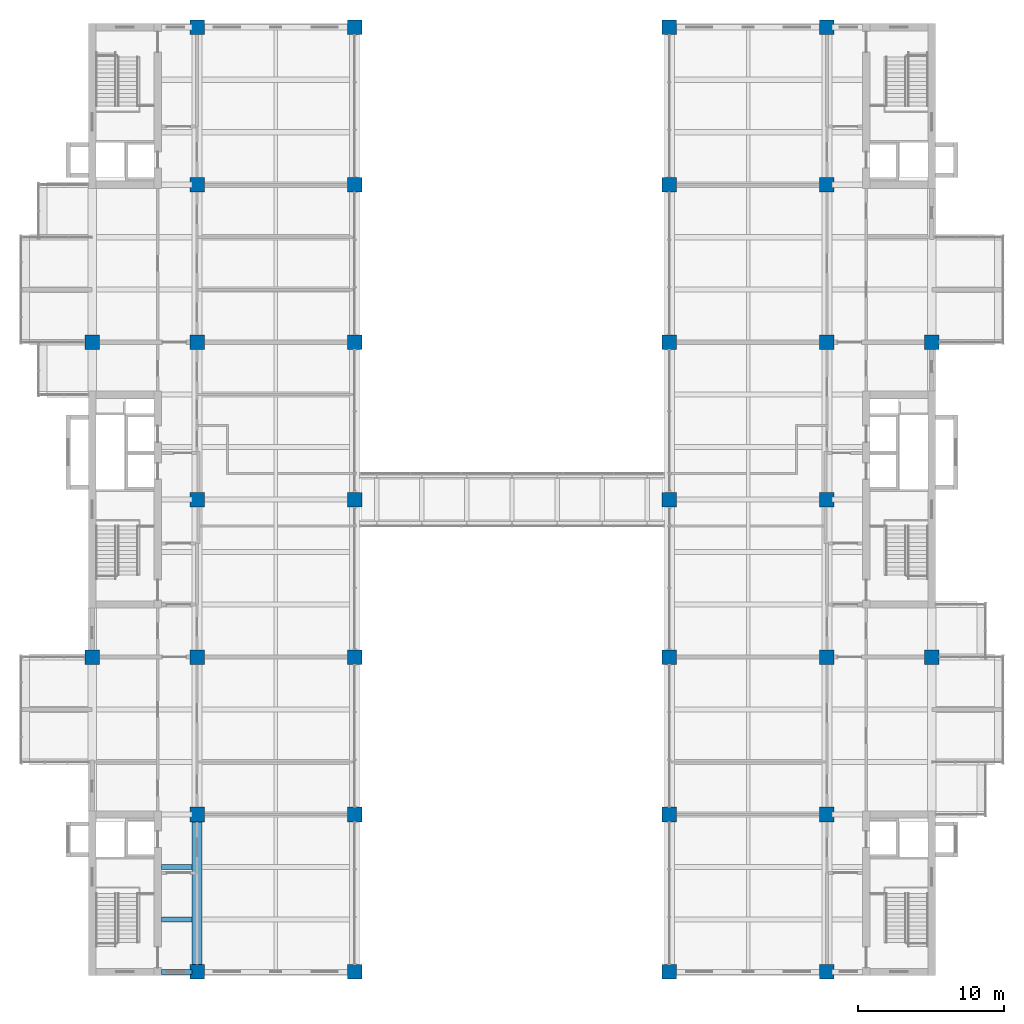
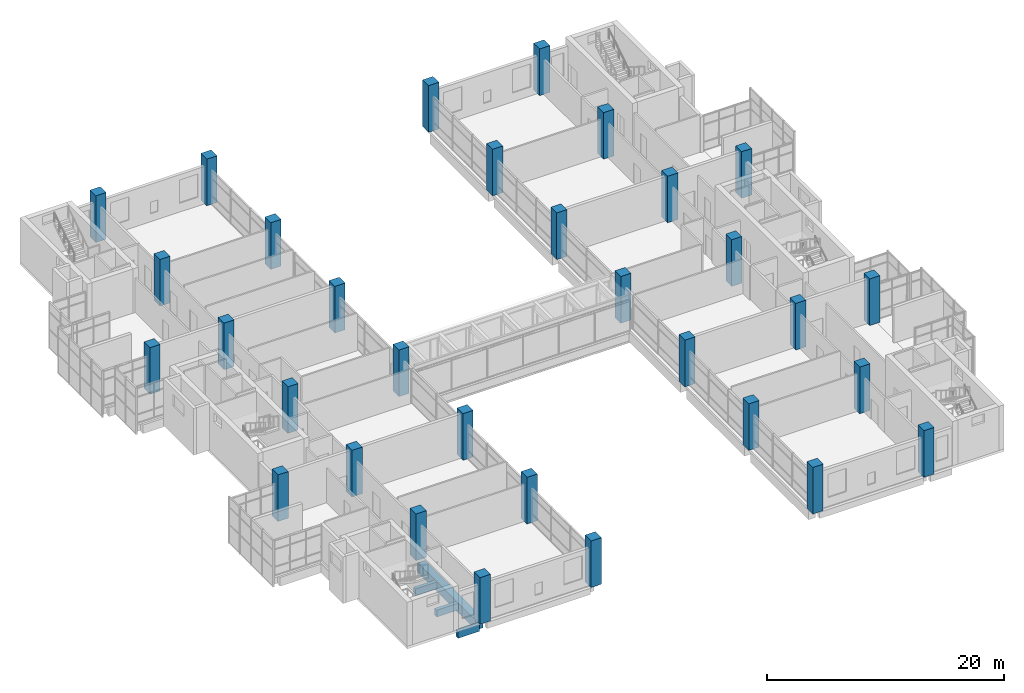
# One storey, part 1 of 35: 32 columns, 4 beams.
"""IFC4 building model written with IfcOpenShell, lengths in metres."""

from ifc_helpers import new_model, si_unit, direction, frame, origin, origin_2d, place, context, subcontext, project, spatial, rectangle, extrude, material, material_profile, profile_set, type_object, element, save


model = new_model("IFC4")

# Units and contexts
model_context = context("Model", 3, precision=1e-05, world=origin(), true_north=direction((0.0, 1.0)))
body_context = subcontext(model_context, "Body", "Model", "MODEL_VIEW")
ifc_project = project(units=[si_unit("LENGTHUNIT", "METRE"), si_unit("AREAUNIT", "SQUARE_METRE"), si_unit("VOLUMEUNIT", "CUBIC_METRE"), si_unit("PLANEANGLEUNIT", "RADIAN"), si_unit("MASSUNIT", "GRAM", prefix="KILO")], contexts=[model_context])

# Site, building, storey
site_placement = place(None, origin())
site = spatial("IfcSite", under=ifc_project, at=site_placement, CompositionType="ELEMENT")
building_placement = place(site_placement, origin())
building = spatial("IfcBuilding", under=site, at=building_placement, Name="Basin Gate Institute", CompositionType="ELEMENT")
storey_placement = place(building_placement, frame((0.0, 0.0, 31.800048828125)))
storey = spatial("IfcBuildingStorey", under=building, at=storey_placement, Name="L06", CompositionType="ELEMENT", Elevation=31.800048828125)

# Columns
ifc_material_1 = material(Name="Concrete 60 MPa", Category="concrete")
ifc_material_profile_1 = material_profile(ifc_material_1, rectangle(XDim=1.0, YDim=1.0, at=origin_2d()), Name="Column C2 1000 x 1000")
ifc_profile_set_1 = profile_set([ifc_material_profile_1], Name="Concrete 60 MPa")
column_type = type_object("IfcColumnType", Name="Column C2 R120", PredefinedType="COLUMN", material=ifc_profile_set_1)
for number, where, z_axis, x_axis, name in (
    (1, (61.199951171875, 56.699951171875, 0.0), (0.0, 0.0, 1.0), (1.0, 0.0, 0.0), "COL/L06/4C"),
    (2, (61.199951171875, 78.300048828125, 0.0), (0.0, 0.0, 1.0), (1.0, 0.0, 0.0), "COL/L06/4E"),
    (3, (68.39990234375, 35.10009765625, 0.0), (0.0, 0.0, 1.0), (1.0, 0.0, 0.0), "COL/L06/5A"),
    (4, (68.39990234375, 45.89990234375, 0.0), (0.0, 0.0, 1.0), (1.0, 0.0, 0.0), "COL/L06/5B"),
    (5, (68.39990234375, 56.699951171875, 0.0), (0.0, 0.0, 1.0), (1.0, 0.0, 0.0), "COL/L06/5C"),
    (6, (68.39990234375, 67.5, 0.0), (0.0, 0.0, 1.0), (1.0, 0.0, 0.0), "COL/L06/5D"),
    (7, (68.39990234375, 78.300048828125, 0.0), (0.0, 0.0, 1.0), (1.0, 0.0, 0.0), "COL/L06/5E"),
    (8, (68.39990234375, 89.10009765625, 0.0), (0.0, 0.0, 1.0), (1.0, 0.0, 0.0), "COL/L06/5F"),
    (9, (68.39990234375, 99.89990234375, 0.0), (0.0, 0.0, 1.0), (1.0, 0.0, 0.0), "COL/L06/5G"),
    (10, (79.199951171875, 35.10009765625, 0.0), (0.0, 0.0, 1.0), (1.0, 0.0, 0.0), "COL/L06/6A"),
    (11, (79.199951171875, 45.89990234375, 0.0), (0.0, 0.0, 1.0), (1.0, 0.0, 0.0), "COL/L06/6B"),
    (12, (79.199951171875, 56.699951171875, 0.0), (0.0, 0.0, 1.0), (1.0, 0.0, 0.0), "COL/L06/6C"),
    (13, (79.199951171875, 67.5, 0.0), (0.0, 0.0, 1.0), (1.0, 0.0, 0.0), "COL/L06/6D"),
    (14, (79.199951171875, 78.300048828125, 0.0), (0.0, 0.0, 1.0), (1.0, 0.0, 0.0), "COL/L06/6E"),
    (15, (79.199951171875, 89.10009765625, 0.0), (0.0, 0.0, 1.0), (1.0, 0.0, 0.0), "COL/L06/6F"),
    (16, (79.199951171875, 99.89990234375, 0.0), (0.0, 0.0, 1.0), (1.0, 0.0, 0.0), "COL/L06/6G"),
    (17, (118.800048828125, 56.699951171875, 0.0), (0.0, 0.0, 1.0), (1.0, 0.0, 0.0), "COL/L06/9C"),
    (18, (118.800048828125, 78.300048828125, 0.0), (0.0, 0.0, 1.0), (1.0, 0.0, 0.0), "COL/L06/9E"),
    (19, (111.60009765625, 35.10009765625, 0.0), (0.0, 0.0, 1.0), (1.0, 0.0, 0.0), "COL/L06/8A"),
    (20, (111.60009765625, 45.89990234375, 0.0), (0.0, 0.0, 1.0), (1.0, 0.0, 0.0), "COL/L06/8B"),
    (21, (111.60009765625, 56.699951171875, 0.0), (0.0, 0.0, 1.0), (1.0, 0.0, 0.0), "COL/L06/8C"),
    (22, (111.60009765625, 67.5, 0.0), (0.0, 0.0, 1.0), (1.0, 0.0, 0.0), "COL/L06/8D"),
    (23, (111.60009765625, 78.300048828125, 0.0), (0.0, 0.0, 1.0), (1.0, 0.0, 0.0), "COL/L06/8E"),
    (24, (111.60009765625, 89.10009765625, 0.0), (0.0, 0.0, 1.0), (1.0, 0.0, 0.0), "COL/L06/8F"),
    (25, (111.60009765625, 99.89990234375, 0.0), (0.0, 0.0, 1.0), (1.0, 0.0, 0.0), "COL/L06/8G"),
    (26, (100.800048828125, 35.10009765625, 0.0), (0.0, 0.0, 1.0), (1.0, 0.0, 0.0), "COL/L06/7A"),
    (27, (100.800048828125, 45.89990234375, 0.0), (0.0, 0.0, 1.0), (1.0, 0.0, 0.0), "COL/L06/7B"),
    (28, (100.800048828125, 56.699951171875, 0.0), (0.0, 0.0, 1.0), (1.0, 0.0, 0.0), "COL/L06/7C"),
    (29, (100.800048828125, 67.5, 0.0), (0.0, 0.0, 1.0), (1.0, 0.0, 0.0), "COL/L06/7D"),
    (30, (100.800048828125, 78.300048828125, 0.0), (0.0, 0.0, 1.0), (1.0, 0.0, 0.0), "COL/L06/7E"),
    (31, (100.800048828125, 89.10009765625, 0.0), (0.0, 0.0, 1.0), (1.0, 0.0, 0.0), "COL/L06/7F"),
    (32, (100.800048828125, 99.89990234375, 0.0), (0.0, 0.0, 1.0), (1.0, 0.0, 0.0), "COL/L06/7G"),
):
    element("IfcColumn", number, at=place(storey_placement, frame(where, z_axis=z_axis, x_axis=x_axis)), inside=storey, type_object=column_type, material=ifc_profile_set_1, Name=name, PredefinedType="COLUMN", context=body_context, shape_type="SweptSolid", body=[
        extrude(rectangle(XDim=1.0, YDim=1.0, at=origin_2d()), origin(), (0.0, 0.0, 1.0), 4.800048828125),
    ])

# Beams
ifc_material_2 = material(Name="Concrete 40 MPa", Category="concrete")
ifc_material_profile_2 = material_profile(ifc_material_2, rectangle(XDim=0.35009765625, YDim=0.699951171875, at=origin_2d()), Name="Beam B1 350 x 700")
ifc_profile_set_2 = profile_set([ifc_material_profile_2], Name="Concrete 40 MPa")
beam_type_1 = type_object("IfcBeamType", Name="Beam B1 R120", PredefinedType="BEAM", material=ifc_profile_set_2)
for number, where, z_axis, x_axis, name in (
    (33, (65.949951171875, 35.10009765625, -0.60009765625), (1.0, 0.0, 0.0), (0.0, 1.0, 0.0), "BEAM/L06/W/CORR/01"),
    (34, (65.949951171875, 38.699951171875, -0.60009765625), (1.0, 0.0, 0.0), (0.0, 1.0, 0.0), "BEAM/L06/W/CORR/02"),
    (35, (65.949951171875, 42.300048828125, -0.60009765625), (1.0, 0.0, 0.0), (0.0, 1.0, 0.0), "BEAM/L06/W/CORR/03"),
):
    element("IfcBeam", number, at=place(storey_placement, frame(where, z_axis=z_axis, x_axis=x_axis)), inside=storey, type_object=beam_type_1, material=ifc_profile_set_2, Name=name, PredefinedType="BEAM", context=body_context, shape_type="SweptSolid", body=[
        extrude(rectangle(XDim=0.35009765625, YDim=0.699951171875, at=origin_2d()), origin(), (0.0, 0.0, 1.0), 2.10009765625),
    ])
ifc_material_3 = material(Name="Concrete 50 MPa", Category="concrete")
ifc_material_profile_3 = material_profile(ifc_material_3, rectangle(XDim=0.699951171875, YDim=1.0, at=origin_2d()), Name="Girder G1 700 x 1000")
ifc_profile_set_3 = profile_set([ifc_material_profile_3], Name="Concrete 50 MPa")
beam_type_2 = type_object("IfcBeamType", Name="Girder G1 R120", PredefinedType="BEAM", material=ifc_profile_set_3)
beam_placement = place(storey_placement, frame((68.39990234375, 35.60009765625, -0.75), z_axis=(0.0, 1.0, 0.0), x_axis=(-1.0, 0.0, 0.0)))
element("IfcBeam", 36, at=beam_placement, inside=storey, type_object=beam_type_2, material=ifc_profile_set_3, Name="GIR/L06/W5/1", PredefinedType="BEAM", context=body_context, shape_type="SweptSolid", body=[
    extrude(rectangle(XDim=0.699951171875, YDim=1.0, at=origin_2d()), origin(), (0.0, 0.0, 1.0), 9.7998046875),
])

save(model, "model.ifc")
